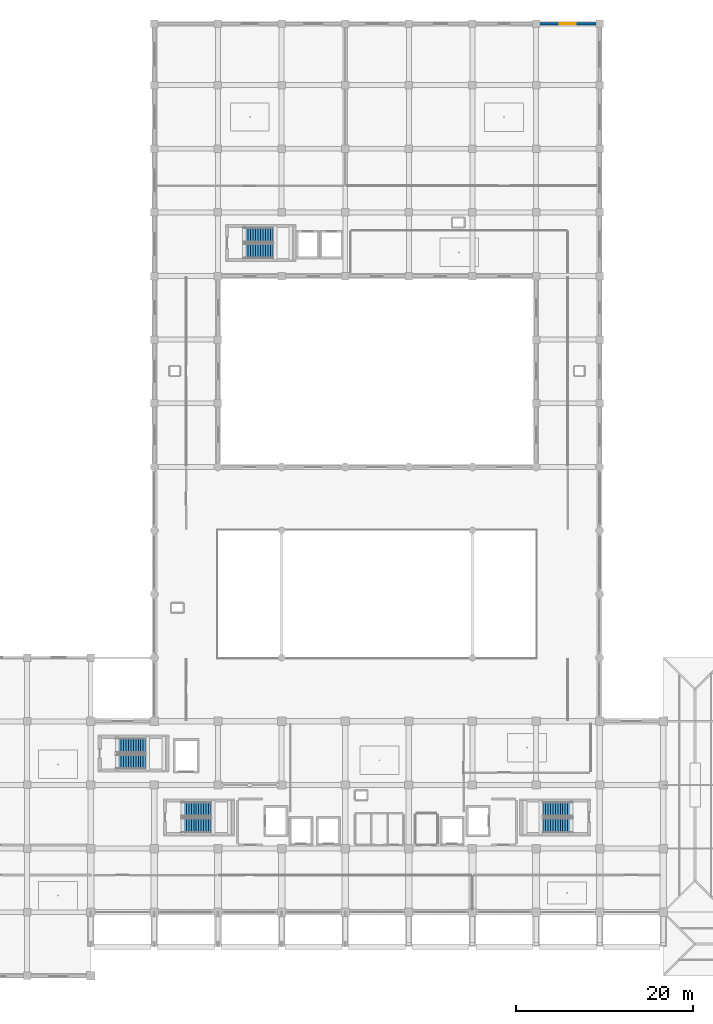
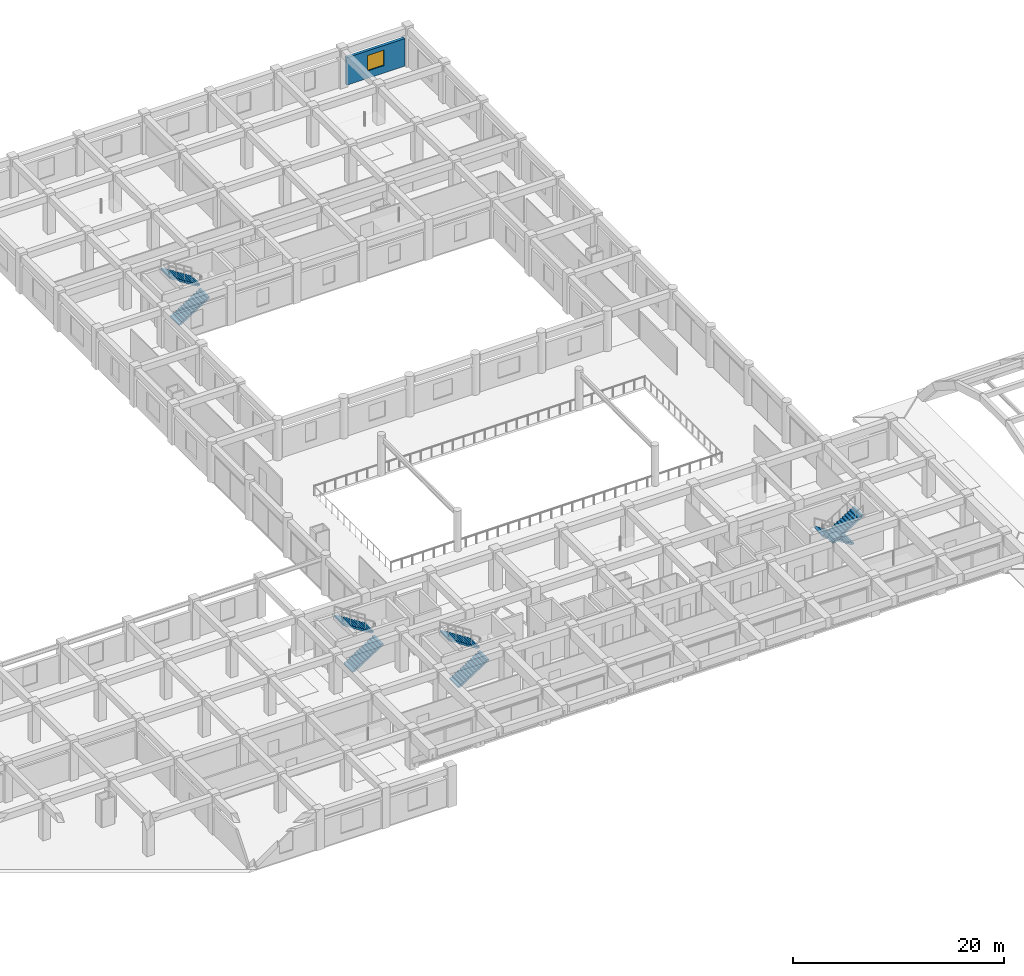
# One storey, part 38 of 54: 8 stair flights, 1 wall, 1 window, 1 opening, 4 elements without a shape of their own.
"""IFC4 building model written with IfcOpenShell, lengths in metres."""

from ifc_helpers import new_model, si_unit, direction, frame, frame_2d, origin, place, context, subcontext, project, spatial, polyline, rectangle, outline, extrude, material, layer, layer_set, type_object, element, fill, aggregate, save


model = new_model("IFC4")

# Units and contexts
model_context = context("Model", 3, precision=1e-05, world=origin(), true_north=direction((0.0, 1.0)))
body_context = subcontext(model_context, "Body", "Model", "MODEL_VIEW")
ifc_project = project(units=[si_unit("LENGTHUNIT", "METRE"), si_unit("AREAUNIT", "SQUARE_METRE"), si_unit("VOLUMEUNIT", "CUBIC_METRE"), si_unit("PLANEANGLEUNIT", "RADIAN"), si_unit("MASSUNIT", "GRAM", prefix="KILO")], contexts=[model_context])

# Site, building, storey
site_placement = place(None, origin())
site = spatial("IfcSite", under=ifc_project, at=site_placement, CompositionType="ELEMENT")
building_placement = place(site_placement, origin())
building = spatial("IfcBuilding", under=site, at=building_placement, Name="Kazehaya Institute of Natural Sciences", CompositionType="ELEMENT")
storey_placement = place(building_placement, frame((0.0, 0.0, 10.43994140625)))
storey = spatial("IfcBuildingStorey", under=building, at=storey_placement, Name="L02", CompositionType="ELEMENT", Elevation=10.43994140625)

# Wall, opening, window
ifc_material_1 = material(Name="Precast concrete Fc36", Category="concrete")
ifc_layer = layer(ifc_material_1, 0.320068359375, Name="Precast concrete Fc36", Category="concrete")
ifc_layer_set = layer_set([ifc_layer], Name="Precast concrete Fc36")
wall_type = type_object("IfcWallType", Name="WL-EXT-320", PredefinedType="SOLIDWALL", material=ifc_layer_set)
wall_placement = place(storey_placement, frame((105.409912109375, 114.550048828125, 0.0), z_axis=(0.0, 0.0, 1.0), x_axis=(1.0, 0.0, 0.0)))
wall = element("IfcWall", 1, at=wall_placement, inside=storey, type_object=wall_type, Name="L02 exterior wall EW-L02-0226", PredefinedType="SOLIDWALL", context=body_context, shape_type="SweptSolid", body=[
    extrude(rectangle(XDim=6.380126953125, YDim=0.320068359375, at=frame_2d((3.18994140625, 0.0))), origin(), (0.0, 0.0, 1.0), 3.18017578125),
])
opening_placement = place(wall_placement, frame((2.2900390625, 0.0, 0.85009765625)))
opening = element("IfcOpeningElement", 2, at=opening_placement, cuts=wall, Name="Opening W11", PredefinedType="OPENING", context=body_context, shape_type="SweptSolid", body=[
    extrude(rectangle(XDim=1.800048828125, YDim=1.800048828125, at=frame_2d((0.89990234375, 0.89990234375))), frame((0.0, 0.169921875, 0.0), z_axis=(0.0, -1.0, 0.0), x_axis=(1.0, 0.0, 0.0)), (0.0, 0.0, 1.0), 0.340087890625),
])
ifc_material_2 = material(Name="Low-E double-glazed aluminium window", Category="aluminium")
window_type = type_object("IfcWindowType", Name="WN-11", PartitioningType="DOUBLE_PANEL_VERTICAL", PredefinedType="WINDOW", material=ifc_material_2)
window_placement = place(opening_placement, origin())
window = element("IfcWindow", 3, at=window_placement, inside=storey, type_object=window_type, Name="L02 facade window 0127", OverallHeight=1.800048828125, OverallWidth=1.800048828125, PartitioningType="DOUBLE_PANEL_VERTICAL", PredefinedType="WINDOW", context=body_context, shape_type="SweptSolid", body=[
    extrude(rectangle(XDim=1.800048828125, YDim=1.800048828125, at=frame_2d((0.89990234375, 0.89990234375))), frame((0.0, 0.030029296875, 0.0), z_axis=(0.0, -1.0, 0.0), x_axis=(1.0, 0.0, 0.0)), (0.0, 0.0, 1.0), 0.06005859375),
])
fill(opening, window)

# Stair, stair flights
ifc_material_3 = material(Name="Concrete Fc36", Category="concrete")
stair_type = type_object("IfcStairType", Name="STR-DOG-4680", PredefinedType="HALF_TURN_STAIR", material=ifc_material_3)
stair_1_placement = place(storey_placement, origin())
stair_1 = element("IfcStair", 4, at=stair_1_placement, inside=storey, type_object=stair_type, Name="L02 Protected Escape Stair ST-1", PredefinedType="HALF_TURN_STAIR")
stair_flight_type = type_object("IfcStairFlightType", Name="STF-DOG-4680", PredefinedType="STRAIGHT", material=ifc_material_3)
stair_flight_1_placement = place(storey_placement, frame((64.860107421875, 23.830078125, 0.0), z_axis=(0.0, 0.0, 1.0), x_axis=(1.0, 0.0, 0.0)))
stair_flight_1 = element("IfcStairFlight", 5, at=stair_flight_1_placement, type_object=stair_flight_type, Name="ST-1 flight 1", NumberOfRisers=13, NumberOfTreads=12, PredefinedType="STRAIGHT", RiserHeight=0.18, TreadLength=0.28, context=body_context, shape_type="SweptSolid", body=[
    extrude(outline(polyline([(0.0, 0.0), (0.0, 0.179931640625), (0.280029296875, 0.179931640625), (0.280029296875, 0.360107421875), (0.56005859375, 0.360107421875), (0.56005859375, 0.5400390625), (0.840087890625, 0.5400390625), (0.840087890625, 0.719970703125), (1.1201171875, 0.719970703125), (1.1201171875, 0.89990234375), (1.39990234375, 0.89990234375), (1.39990234375, 1.080078125), (1.679931640625, 1.080078125), (1.679931640625, 1.260009765625), (1.9599609375, 1.260009765625), (1.9599609375, 1.43994140625), (2.239990234375, 1.43994140625), (2.239990234375, 1.6201171875), (2.52001953125, 1.6201171875), (2.52001953125, 1.800048828125), (2.800048828125, 1.800048828125), (2.800048828125, 1.97998046875), (3.080078125, 1.97998046875), (3.080078125, 2.159912109375), (3.360107421875, 2.159912109375), (3.360107421875, 2.340087890625), (3.360107421875, 1.981689453125), (0.277099609375, 0.0), (0.0, 0.0)])), frame((0.0, 0.830078125, 0.0), z_axis=(0.0, -1.0, 0.0), x_axis=(1.0, 0.0, 0.0)), (0.0, 0.0, 1.0), 1.659912109375),
])
stair_flight_2_placement = place(storey_placement, frame((68.219970703125, 25.64990234375, 2.340087890625), z_axis=(0.0, 0.0, 1.0), x_axis=(-1.0, 0.0, 0.0)))
stair_flight_2 = element("IfcStairFlight", 6, at=stair_flight_2_placement, type_object=stair_flight_type, Name="ST-1 flight 2", NumberOfRisers=13, NumberOfTreads=12, PredefinedType="STRAIGHT", RiserHeight=0.18, TreadLength=0.28, context=body_context, shape_type="SweptSolid", body=[
    extrude(outline(polyline([(0.0, 0.0), (0.0, 0.179931640625), (0.280029296875, 0.179931640625), (0.280029296875, 0.360107421875), (0.56005859375, 0.360107421875), (0.56005859375, 0.5400390625), (0.840087890625, 0.5400390625), (0.840087890625, 0.719970703125), (1.1201171875, 0.719970703125), (1.1201171875, 0.89990234375), (1.39990234375, 0.89990234375), (1.39990234375, 1.080078125), (1.679931640625, 1.080078125), (1.679931640625, 1.260009765625), (1.9599609375, 1.260009765625), (1.9599609375, 1.43994140625), (2.239990234375, 1.43994140625), (2.239990234375, 1.6201171875), (2.52001953125, 1.6201171875), (2.52001953125, 1.800048828125), (2.800048828125, 1.800048828125), (2.800048828125, 1.97998046875), (3.080078125, 1.97998046875), (3.080078125, 2.159912109375), (3.360107421875, 2.159912109375), (3.360107421875, 2.340087890625), (3.360107421875, 1.981689453125), (0.277099609375, 0.0), (0.0, 0.0)])), frame((0.0, 0.830078125, 0.0), z_axis=(0.0, -1.0, 0.0), x_axis=(1.0, 0.0, 0.0)), (0.0, 0.0, 1.0), 1.659912109375),
])
aggregate(stair_1, [stair_flight_1, stair_flight_2])

stair_2_placement = place(storey_placement, origin())
stair_2 = element("IfcStair", 7, at=stair_2_placement, inside=storey, type_object=stair_type, Name="L02 Protected Escape Stair ST-2", PredefinedType="HALF_TURN_STAIR")
stair_flight_3_placement = place(storey_placement, frame((109.139892578125, 25.64990234375, 0.0), z_axis=(0.0, 0.0, 1.0), x_axis=(-1.0, 0.0, 0.0)))
stair_flight_3 = element("IfcStairFlight", 8, at=stair_flight_3_placement, type_object=stair_flight_type, Name="ST-2 flight 1", NumberOfRisers=13, NumberOfTreads=12, PredefinedType="STRAIGHT", RiserHeight=0.18, TreadLength=0.28, context=body_context, shape_type="SweptSolid", body=[
    extrude(outline(polyline([(0.0, 0.0), (0.0, 0.179931640625), (0.280029296875, 0.179931640625), (0.280029296875, 0.360107421875), (0.56005859375, 0.360107421875), (0.56005859375, 0.5400390625), (0.840087890625, 0.5400390625), (0.840087890625, 0.719970703125), (1.1201171875, 0.719970703125), (1.1201171875, 0.89990234375), (1.39990234375, 0.89990234375), (1.39990234375, 1.080078125), (1.679931640625, 1.080078125), (1.679931640625, 1.260009765625), (1.9599609375, 1.260009765625), (1.9599609375, 1.43994140625), (2.239990234375, 1.43994140625), (2.239990234375, 1.6201171875), (2.52001953125, 1.6201171875), (2.52001953125, 1.800048828125), (2.800048828125, 1.800048828125), (2.800048828125, 1.97998046875), (3.080078125, 1.97998046875), (3.080078125, 2.159912109375), (3.360107421875, 2.159912109375), (3.360107421875, 2.340087890625), (3.360107421875, 1.981689453125), (0.277099609375, 0.0), (0.0, 0.0)])), frame((0.0, 0.830078125, 0.0), z_axis=(0.0, -1.0, 0.0), x_axis=(1.0, 0.0, 0.0)), (0.0, 0.0, 1.0), 1.659912109375),
])
stair_flight_4_placement = place(storey_placement, frame((105.780029296875, 23.830078125, 2.340087890625), z_axis=(0.0, 0.0, 1.0), x_axis=(1.0, 0.0, 0.0)))
stair_flight_4 = element("IfcStairFlight", 9, at=stair_flight_4_placement, type_object=stair_flight_type, Name="ST-2 flight 2", NumberOfRisers=13, NumberOfTreads=12, PredefinedType="STRAIGHT", RiserHeight=0.18, TreadLength=0.28, context=body_context, shape_type="SweptSolid", body=[
    extrude(outline(polyline([(0.0, 0.0), (0.0, 0.179931640625), (0.280029296875, 0.179931640625), (0.280029296875, 0.360107421875), (0.56005859375, 0.360107421875), (0.56005859375, 0.5400390625), (0.840087890625, 0.5400390625), (0.840087890625, 0.719970703125), (1.1201171875, 0.719970703125), (1.1201171875, 0.89990234375), (1.39990234375, 0.89990234375), (1.39990234375, 1.080078125), (1.679931640625, 1.080078125), (1.679931640625, 1.260009765625), (1.9599609375, 1.260009765625), (1.9599609375, 1.43994140625), (2.239990234375, 1.43994140625), (2.239990234375, 1.6201171875), (2.52001953125, 1.6201171875), (2.52001953125, 1.800048828125), (2.800048828125, 1.800048828125), (2.800048828125, 1.97998046875), (3.080078125, 1.97998046875), (3.080078125, 2.159912109375), (3.360107421875, 2.159912109375), (3.360107421875, 2.340087890625), (3.360107421875, 1.981689453125), (0.277099609375, 0.0), (0.0, 0.0)])), frame((0.0, 0.830078125, 0.0), z_axis=(0.0, -1.0, 0.0), x_axis=(1.0, 0.0, 0.0)), (0.0, 0.0, 1.0), 1.659912109375),
])
aggregate(stair_2, [stair_flight_3, stair_flight_4])

stair_3_placement = place(storey_placement, origin())
stair_3 = element("IfcStair", 10, at=stair_3_placement, inside=storey, type_object=stair_type, Name="L02 Protected Escape Stair ST-3", PredefinedType="HALF_TURN_STAIR")
stair_flight_5_placement = place(storey_placement, frame((71.860107421875, 88.830078125, 0.0), z_axis=(0.0, 0.0, 1.0), x_axis=(1.0, 0.0, 0.0)))
stair_flight_5 = element("IfcStairFlight", 11, at=stair_flight_5_placement, type_object=stair_flight_type, Name="ST-3 flight 1", NumberOfRisers=13, NumberOfTreads=12, PredefinedType="STRAIGHT", RiserHeight=0.18, TreadLength=0.28, context=body_context, shape_type="SweptSolid", body=[
    extrude(outline(polyline([(0.0, 0.0), (0.0, 0.179931640625), (0.280029296875, 0.179931640625), (0.280029296875, 0.360107421875), (0.56005859375, 0.360107421875), (0.56005859375, 0.5400390625), (0.840087890625, 0.5400390625), (0.840087890625, 0.719970703125), (1.1201171875, 0.719970703125), (1.1201171875, 0.89990234375), (1.39990234375, 0.89990234375), (1.39990234375, 1.080078125), (1.679931640625, 1.080078125), (1.679931640625, 1.260009765625), (1.9599609375, 1.260009765625), (1.9599609375, 1.43994140625), (2.239990234375, 1.43994140625), (2.239990234375, 1.6201171875), (2.52001953125, 1.6201171875), (2.52001953125, 1.800048828125), (2.800048828125, 1.800048828125), (2.800048828125, 1.97998046875), (3.080078125, 1.97998046875), (3.080078125, 2.159912109375), (3.360107421875, 2.159912109375), (3.360107421875, 2.340087890625), (3.360107421875, 1.981689453125), (0.277099609375, 0.0), (0.0, 0.0)])), frame((0.0, 0.830078125, 0.0), z_axis=(0.0, -1.0, 0.0), x_axis=(1.0, 0.0, 0.0)), (0.0, 0.0, 1.0), 1.659912109375),
])
stair_flight_6_placement = place(storey_placement, frame((75.219970703125, 90.64990234375, 2.340087890625), z_axis=(0.0, 0.0, 1.0), x_axis=(-1.0, 0.0, 0.0)))
stair_flight_6 = element("IfcStairFlight", 12, at=stair_flight_6_placement, type_object=stair_flight_type, Name="ST-3 flight 2", NumberOfRisers=13, NumberOfTreads=12, PredefinedType="STRAIGHT", RiserHeight=0.18, TreadLength=0.28, context=body_context, shape_type="SweptSolid", body=[
    extrude(outline(polyline([(0.0, 0.0), (0.0, 0.179931640625), (0.280029296875, 0.179931640625), (0.280029296875, 0.360107421875), (0.56005859375, 0.360107421875), (0.56005859375, 0.5400390625), (0.840087890625, 0.5400390625), (0.840087890625, 0.719970703125), (1.1201171875, 0.719970703125), (1.1201171875, 0.89990234375), (1.39990234375, 0.89990234375), (1.39990234375, 1.080078125), (1.679931640625, 1.080078125), (1.679931640625, 1.260009765625), (1.9599609375, 1.260009765625), (1.9599609375, 1.43994140625), (2.239990234375, 1.43994140625), (2.239990234375, 1.6201171875), (2.52001953125, 1.6201171875), (2.52001953125, 1.800048828125), (2.800048828125, 1.800048828125), (2.800048828125, 1.97998046875), (3.080078125, 1.97998046875), (3.080078125, 2.159912109375), (3.360107421875, 2.159912109375), (3.360107421875, 2.340087890625), (3.360107421875, 1.981689453125), (0.277099609375, 0.0), (0.0, 0.0)])), frame((0.0, 0.830078125, 0.0), z_axis=(0.0, -1.0, 0.0), x_axis=(1.0, 0.0, 0.0)), (0.0, 0.0, 1.0), 1.659912109375),
])
aggregate(stair_3, [stair_flight_5, stair_flight_6])

stair_4_placement = place(storey_placement, origin())
stair_4 = element("IfcStair", 13, at=stair_4_placement, inside=storey, type_object=stair_type, Name="L02 Protected Escape Stair ST-4", PredefinedType="HALF_TURN_STAIR")
stair_flight_7_placement = place(storey_placement, frame((57.4599609375, 31.030029296875, 0.0), z_axis=(0.0, 0.0, 1.0), x_axis=(1.0, 0.0, 0.0)))
stair_flight_7 = element("IfcStairFlight", 14, at=stair_flight_7_placement, type_object=stair_flight_type, Name="ST-4 flight 1", NumberOfRisers=13, NumberOfTreads=12, PredefinedType="STRAIGHT", RiserHeight=0.18, TreadLength=0.28, context=body_context, shape_type="SweptSolid", body=[
    extrude(outline(polyline([(0.0, 0.0), (0.0, 0.179931640625), (0.280029296875, 0.179931640625), (0.280029296875, 0.360107421875), (0.56005859375, 0.360107421875), (0.56005859375, 0.5400390625), (0.840087890625, 0.5400390625), (0.840087890625, 0.719970703125), (1.1201171875, 0.719970703125), (1.1201171875, 0.89990234375), (1.39990234375, 0.89990234375), (1.39990234375, 1.080078125), (1.679931640625, 1.080078125), (1.679931640625, 1.260009765625), (1.9599609375, 1.260009765625), (1.9599609375, 1.43994140625), (2.239990234375, 1.43994140625), (2.239990234375, 1.6201171875), (2.52001953125, 1.6201171875), (2.52001953125, 1.800048828125), (2.800048828125, 1.800048828125), (2.800048828125, 1.97998046875), (3.080078125, 1.97998046875), (3.080078125, 2.159912109375), (3.360107421875, 2.159912109375), (3.360107421875, 2.340087890625), (3.360107421875, 1.981689453125), (0.277099609375, 0.0), (0.0, 0.0)])), frame((0.0, 0.830078125, 0.0), z_axis=(0.0, -1.0, 0.0), x_axis=(1.0, 0.0, 0.0)), (0.0, 0.0, 1.0), 1.659912109375),
])
stair_flight_8_placement = place(storey_placement, frame((60.820068359375, 32.85009765625, 2.340087890625), z_axis=(0.0, 0.0, 1.0), x_axis=(-1.0, 0.0, 0.0)))
stair_flight_8 = element("IfcStairFlight", 15, at=stair_flight_8_placement, type_object=stair_flight_type, Name="ST-4 flight 2", NumberOfRisers=13, NumberOfTreads=12, PredefinedType="STRAIGHT", RiserHeight=0.18, TreadLength=0.28, context=body_context, shape_type="SweptSolid", body=[
    extrude(outline(polyline([(0.0, 0.0), (0.0, 0.179931640625), (0.280029296875, 0.179931640625), (0.280029296875, 0.360107421875), (0.56005859375, 0.360107421875), (0.56005859375, 0.5400390625), (0.840087890625, 0.5400390625), (0.840087890625, 0.719970703125), (1.1201171875, 0.719970703125), (1.1201171875, 0.89990234375), (1.39990234375, 0.89990234375), (1.39990234375, 1.080078125), (1.679931640625, 1.080078125), (1.679931640625, 1.260009765625), (1.9599609375, 1.260009765625), (1.9599609375, 1.43994140625), (2.239990234375, 1.43994140625), (2.239990234375, 1.6201171875), (2.52001953125, 1.6201171875), (2.52001953125, 1.800048828125), (2.800048828125, 1.800048828125), (2.800048828125, 1.97998046875), (3.080078125, 1.97998046875), (3.080078125, 2.159912109375), (3.360107421875, 2.159912109375), (3.360107421875, 2.340087890625), (3.360107421875, 1.981689453125), (0.277099609375, 0.0), (0.0, 0.0)])), frame((0.0, 0.830078125, 0.0), z_axis=(0.0, -1.0, 0.0), x_axis=(1.0, 0.0, 0.0)), (0.0, 0.0, 1.0), 1.659912109375),
])
aggregate(stair_4, [stair_flight_7, stair_flight_8])

save(model, "model.ifc")
